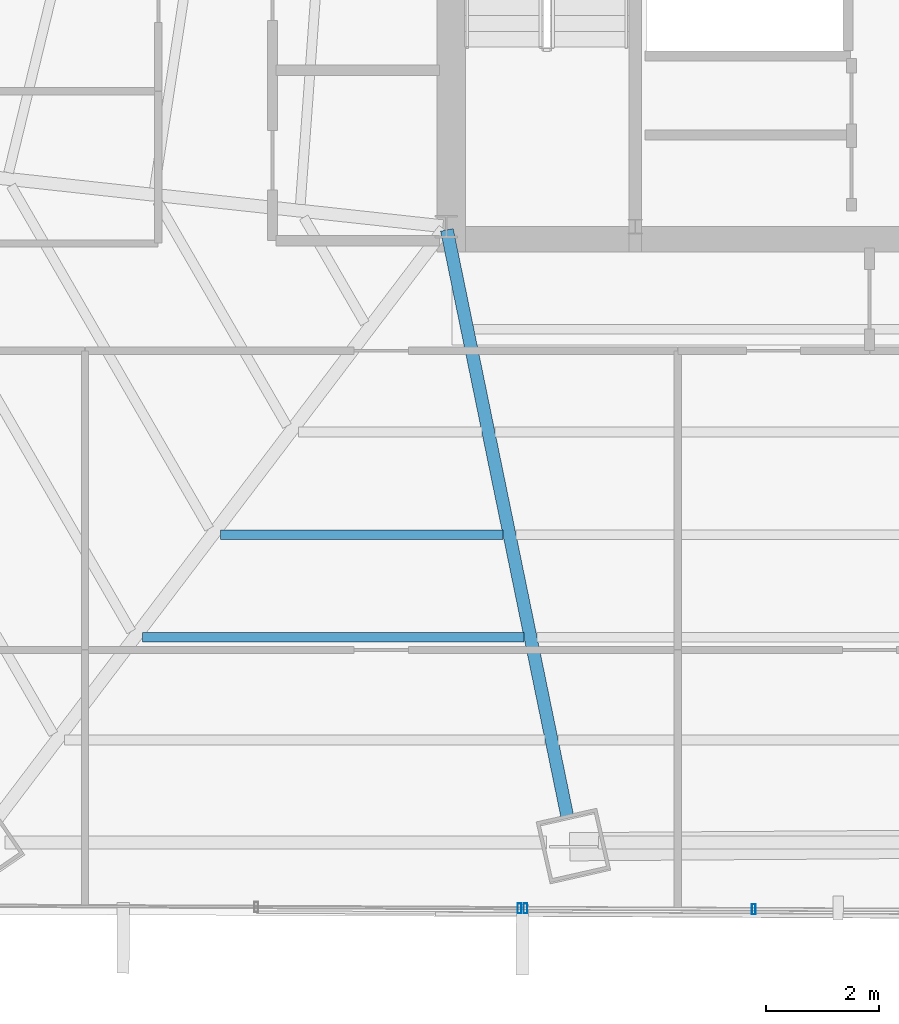
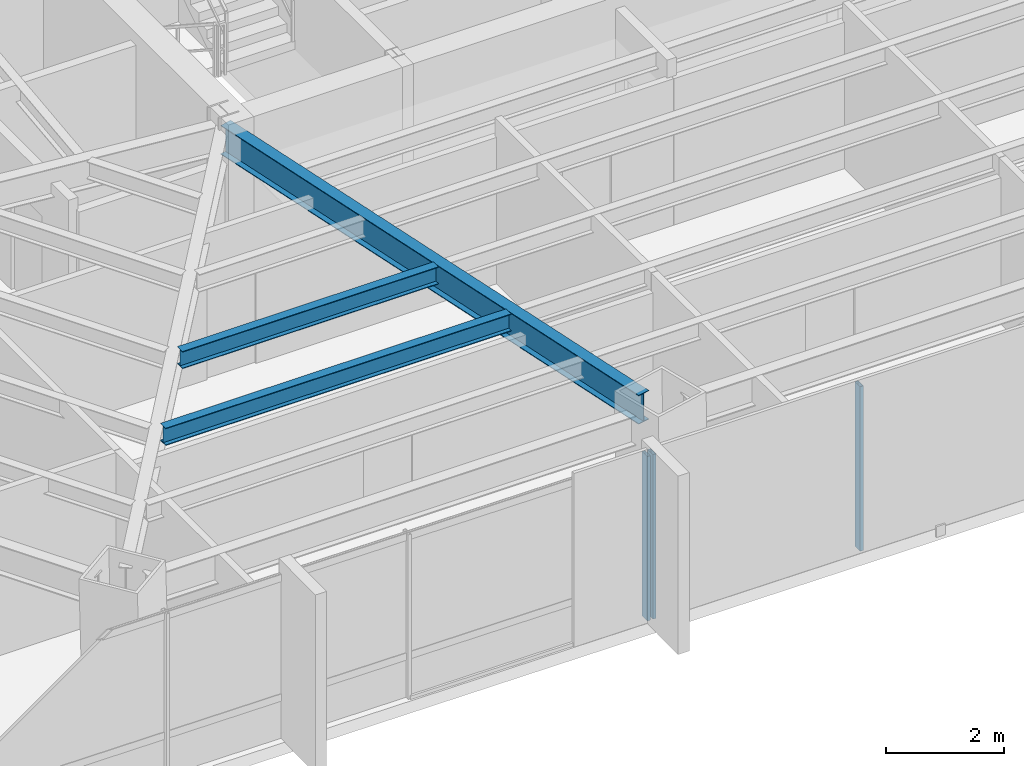
# One storey, part 8 of 35: 3 beams, 3 members, 2 elements without a shape of their own.
"""IFC4 building model written with IfcOpenShell, lengths in metres."""

from ifc_helpers import new_model, si_unit, direction, frame, origin, origin_2d, place, context, subcontext, project, spatial, hollow_rectangle, i_section, extrude, source, transform, mapped, material, material_profile, profile_set, type_object, type_shapes, element, aggregate, save


model = new_model("IFC4")

# Units and contexts
model_context = context("Model", 3, precision=1e-05, world=origin(), true_north=direction((0.0, 1.0)))
body_context = subcontext(model_context, "Body", "Model", "MODEL_VIEW")
ifc_project = project(units=[si_unit("LENGTHUNIT", "METRE"), si_unit("AREAUNIT", "SQUARE_METRE"), si_unit("VOLUMEUNIT", "CUBIC_METRE"), si_unit("PLANEANGLEUNIT", "RADIAN"), si_unit("MASSUNIT", "GRAM", prefix="KILO")], contexts=[model_context])

# Site, building, storey
site_placement = place(None, origin())
site = spatial("IfcSite", under=ifc_project, at=site_placement, CompositionType="ELEMENT")
building_placement = place(site_placement, origin())
building = spatial("IfcBuilding", under=site, at=building_placement, Name="Caelisora Broadcast Tower", CompositionType="ELEMENT")
storey_placement = place(building_placement, frame((0.0, 0.0, 109.050048828125)))
storey = spatial("IfcBuildingStorey", under=building, at=storey_placement, Name="L28", CompositionType="ELEMENT", Elevation=109.050048828125)

# Beams
ifc_material_1 = material(Name="Steel Grade 350 (AS/NZS 3679.1)", Category="steel")
ifc_material_profile_1 = material_profile(ifc_material_1, i_section(OverallWidth=0.22802734375, OverallDepth=0.602294921875, WebThickness=0.010498046875, FlangeThickness=0.014892578125, at=origin_2d()), Name="Steel Grade 350 (AS/NZS 3679.1)")
ifc_profile_set_1 = profile_set([ifc_material_profile_1], Name="Steel Grade 350 (AS/NZS 3679.1)")
beam_type_1 = type_object("IfcBeamType", Name="PG04", PredefinedType="BEAM", material=ifc_profile_set_1)
shared_shape_1 = source(origin(), body_context, "Body", "SweptSolid", [
    extrude(i_section(OverallWidth=0.22802734375, OverallDepth=0.602294921875, WebThickness=0.010498046875, FlangeThickness=0.014892578125, at=origin_2d()), origin(), (0.0, 0.0, 1.0), 10.662109375),
])
type_shapes(beam_type_1, [shared_shape_1])
beam_1_placement = place(storey_placement, frame((30.51220703125, 17.34130859375, 3.098876953125), z_axis=(0.201067531406, -0.979577382249, 0.0), x_axis=(0.979577382249, 0.201067531406, 0.0)))
element("IfcBeam", 1, at=beam_1_placement, inside=storey, type_object=beam_type_1, Name="L28 beam PG04", PredefinedType="BEAM", context=body_context, shape_type="MappedRepresentation", body=[
    mapped(shared_shape_1, transform((0.0, 0.0, 0.0), scale=1.0)),
])
ifc_material_profile_2 = material_profile(ifc_material_1, i_section(OverallWidth=0.172119140625, OverallDepth=0.358642578125, WebThickness=0.008056640625, FlangeThickness=0.012939453125, at=origin_2d()), Name="Steel Grade 350 (AS/NZS 3679.1)")
ifc_profile_set_2 = profile_set([ifc_material_profile_2], Name="Steel Grade 350 (AS/NZS 3679.1)")
beam_type_2 = type_object("IfcBeamType", Name="SB02", PredefinedType="JOIST", material=ifc_profile_set_2)
shared_shape_2 = source(origin(), body_context, "Body", "SweptSolid", [
    extrude(i_section(OverallWidth=0.172119140625, OverallDepth=0.358642578125, WebThickness=0.008056640625, FlangeThickness=0.012939453125, at=origin_2d()), origin(), (0.0, 0.0, 1.0), 5.006103515625),
])
beam_2_placement = place(storey_placement, frame((26.500732421875, 11.94287109375, 3.220703125), z_axis=(1.0, 0.0, 0.0), x_axis=(0.0, 1.0, 0.0)))
element("IfcBeam", 2, at=beam_2_placement, inside=storey, type_object=beam_type_2, Name="L28 beam SB02", PredefinedType="JOIST", context=body_context, shape_type="MappedRepresentation", body=[
    mapped(shared_shape_2, transform((0.0, 0.0, 0.0), scale=1.0)),
])
shared_shape_3 = source(origin(), body_context, "Body", "SweptSolid", [
    extrude(i_section(OverallWidth=0.172119140625, OverallDepth=0.358642578125, WebThickness=0.008056640625, FlangeThickness=0.012939453125, at=origin_2d()), origin(), (0.0, 0.0, 1.0), 6.75927734375),
])
type_shapes(beam_type_2, [shared_shape_2, shared_shape_3])
beam_3_placement = place(storey_placement, frame((25.12109375, 10.123779296875, 3.220703125), z_axis=(1.0, 0.0, 0.0), x_axis=(0.0, 1.0, 0.0)))
element("IfcBeam", 3, at=beam_3_placement, inside=storey, type_object=beam_type_2, Name="L28 beam SB02", PredefinedType="JOIST", context=body_context, shape_type="MappedRepresentation", body=[
    mapped(shared_shape_3, transform((0.0, 0.0, 0.0), scale=1.0)),
])

# Curtain wall, members
ifc_material_2 = material(Name="Unitised Aluminium Insulated Shadow-Box Spandrel Curtain Wall", Category="aluminium")
curtain_wall_type_1 = type_object("IfcCurtainWallType", Name="CW-SP1", PredefinedType="NOTDEFINED", material=ifc_material_2)
curtain_wall_1_placement = place(storey_placement, origin())
curtain_wall_1 = element("IfcCurtainWall", 4, at=curtain_wall_1_placement, inside=storey, type_object=curtain_wall_type_1, Name="L28 curtain wall CW-SP1", PredefinedType="NOTDEFINED")
ifc_material_3 = material(Name="Aluminium 6063-T6 Anodised Terracotta Bronze", Category="aluminium")
ifc_material_profile_3 = material_profile(ifc_material_3, hollow_rectangle(XDim=0.06494140625, YDim=0.179931640625, WallThickness=0.00341796875, at=origin_2d()), Name="Aluminium 6063-T6 Anodised Terracotta Bronze")
ifc_profile_set_3 = profile_set([ifc_material_profile_3], Name="Aluminium 6063-T6 Anodised Terracotta Bronze")
member_type = type_object("IfcMemberType", Name="CWM-02", PredefinedType="MULLION", material=ifc_profile_set_3)
shared_shape_4 = source(origin(), body_context, "Body", "SweptSolid", [
    extrude(hollow_rectangle(XDim=0.06494140625, YDim=0.179931640625, WallThickness=0.00341796875, at=origin_2d()), origin(), (0.0, 0.0, 1.0), 3.39990234375),
])
type_shapes(member_type, [shared_shape_4])
member_1_placement = place(storey_placement, frame((35.948974609375, 5.305908203125, 0.0), z_axis=(0.0, 0.0, 1.0), x_axis=(1.0, 0.0, 0.0)))
member_1 = element("IfcMember", 5, at=member_1_placement, type_object=member_type, Name="L28-CW-B06 mullion #2", PredefinedType="MULLION", context=body_context, shape_type="MappedRepresentation", body=[
    mapped(shared_shape_4, transform((0.0, 0.0, 0.0), scale=1.0)),
])
member_2_placement = place(storey_placement, frame((31.906982421875, 5.324462890625, 0.0), z_axis=(0.0, 0.0, 1.0), x_axis=(1.0, 0.0, 0.0)))
member_2 = element("IfcMember", 6, at=member_2_placement, type_object=member_type, Name="L28-CW-B06 mullion #3", PredefinedType="MULLION", context=body_context, shape_type="MappedRepresentation", body=[
    mapped(shared_shape_4, transform((0.0, 0.0, 0.0), scale=1.0)),
])
aggregate(curtain_wall_1, [member_1, member_2])

# Curtain wall, member
ifc_material_4 = material(Name="Unitised Aluminium and Low-E Glass Curtain Wall", Category="glass")
curtain_wall_type_2 = type_object("IfcCurtainWallType", Name="CW-Z2", PredefinedType="NOTDEFINED", material=ifc_material_4)
curtain_wall_2_placement = place(storey_placement, origin())
curtain_wall_2 = element("IfcCurtainWall", 7, at=curtain_wall_2_placement, inside=storey, type_object=curtain_wall_type_2, Name="L28 curtain wall CW-Z2", PredefinedType="NOTDEFINED")
member_3_placement = place(storey_placement, frame((31.796875, 5.324951171875, 0.0), z_axis=(0.0, 0.0, 1.0), x_axis=(1.0, 0.0, 0.0)))
member_3 = element("IfcMember", 8, at=member_3_placement, type_object=member_type, Name="L28-CW-B07 mullion #0", PredefinedType="MULLION", context=body_context, shape_type="MappedRepresentation", body=[
    mapped(shared_shape_4, transform((0.0, 0.0, 0.0), scale=1.0)),
])
aggregate(curtain_wall_2, [member_3])

save(model, "model.ifc")
